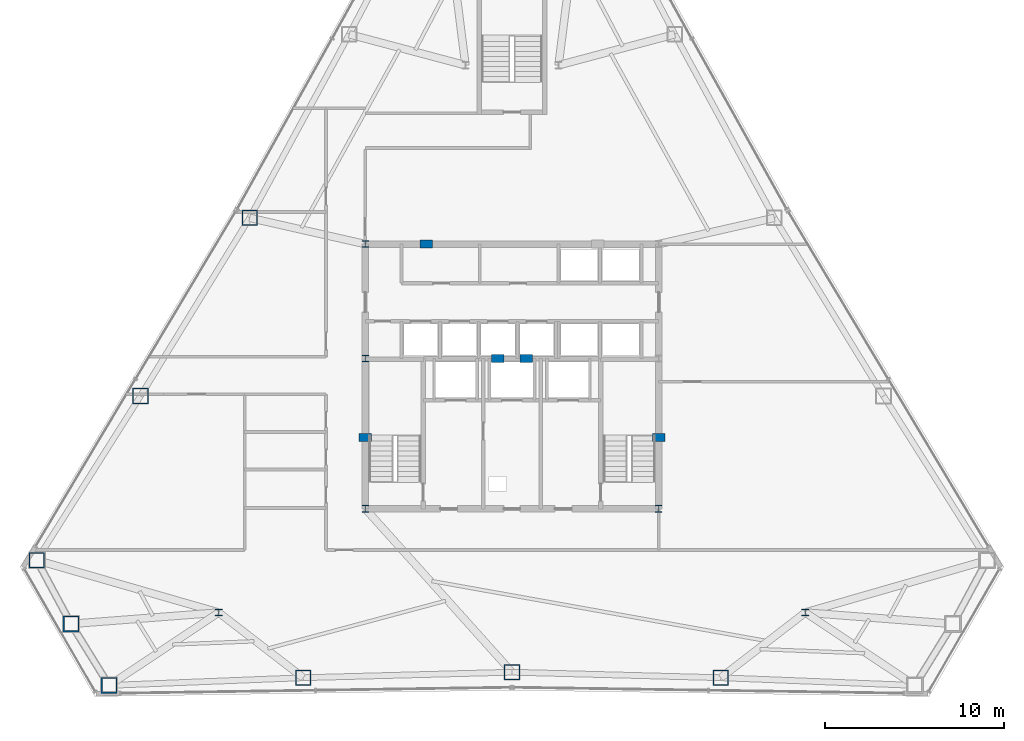
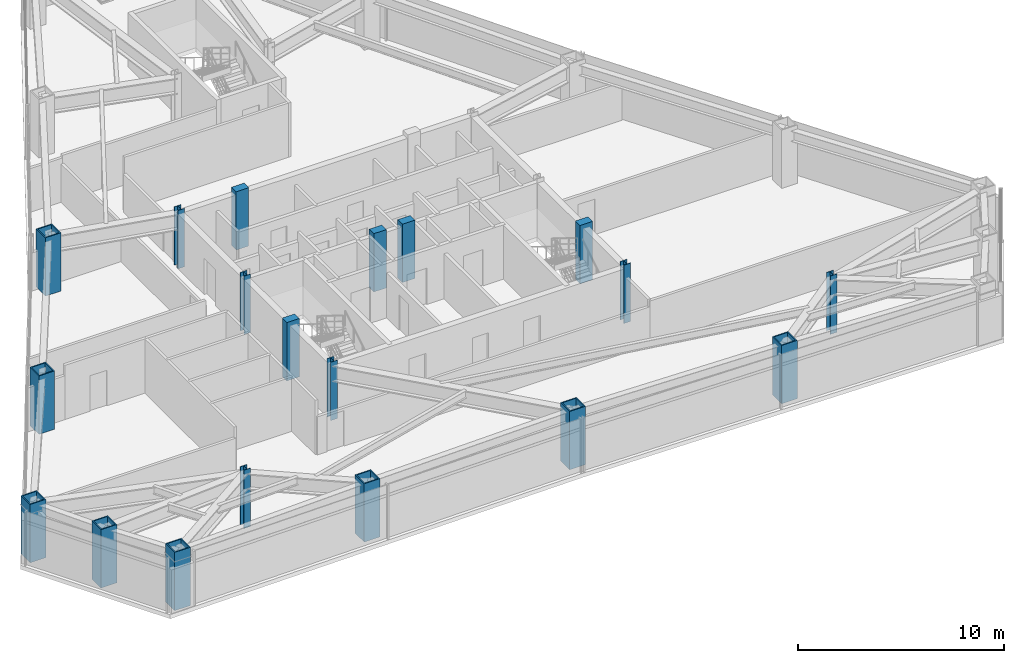
# One storey, part 1 of 13: 19 columns.
"""IFC4 building model written with IfcOpenShell, lengths in metres."""

from ifc_helpers import new_model, si_unit, direction, frame, origin, origin_2d, place, context, subcontext, project, spatial, rectangle, hollow_rectangle, i_section, extrude, material, material_profile, profile_set, type_object, element, save


model = new_model("IFC4")

# Units and contexts
model_context = context("Model", 3, precision=1e-05, world=origin(), true_north=direction((0.0, 1.0)))
body_context = subcontext(model_context, "Body", "Model", "MODEL_VIEW")
ifc_project = project(units=[si_unit("LENGTHUNIT", "METRE"), si_unit("AREAUNIT", "SQUARE_METRE"), si_unit("VOLUMEUNIT", "CUBIC_METRE"), si_unit("PLANEANGLEUNIT", "RADIAN"), si_unit("MASSUNIT", "GRAM", prefix="KILO")], contexts=[model_context])

# Site, building, storey
site_placement = place(None, origin())
site = spatial("IfcSite", under=ifc_project, at=site_placement, CompositionType="ELEMENT")
building_placement = place(site_placement, origin())
building = spatial("IfcBuilding", under=site, at=building_placement, Name="Varakhsha Concourse Tower", CompositionType="ELEMENT")
storey_placement = place(building_placement, frame((0.0, 0.0, 143.60009765625)))
storey = spatial("IfcBuildingStorey", under=building, at=storey_placement, Name="L41", CompositionType="ELEMENT", Elevation=143.60009765625)

# Columns
ifc_material_1 = material(Name="Structural Steel ASTM A992 Grade 50", Category="steel")
ifc_material_profile_1 = material_profile(ifc_material_1, i_section(OverallWidth=0.3740234375, OverallDepth=0.3720703125, WebThickness=0.01611328125, FlangeThickness=0.02587890625, at=origin_2d()), Name="W14X132")
ifc_profile_set_1 = profile_set([ifc_material_profile_1], Name="Structural Steel ASTM A992 Grade 50")
column_type_1 = type_object("IfcColumnType", Name="CL-CORE-W14X132", PredefinedType="COLUMN", material=ifc_profile_set_1)
for number, where, z_axis, x_axis, name in (
    (1, (31.800048828125, 16.39990234375, 0.0), (0.0, 0.0, 1.0), (1.0, 0.0, 0.0), "L41 Core Column CC-SW"),
    (2, (48.199951171875, 16.39990234375, 0.0), (0.0, 0.0, 1.0), (1.0, 0.0, 0.0), "L41 Core Column CC-SE"),
    (3, (31.800048828125, 24.800048828125, 0.0), (0.0, 0.0, 1.0), (1.0, 0.0, 0.0), "L41 Core Column CC-MW"),
    (4, (31.800048828125, 31.199951171875, 0.0), (0.0, 0.0, 1.0), (1.0, 0.0, 0.0), "L41 Core Column CC-NW"),
    (5, (23.60009765625, 10.60009765625, 0.0), (0.0, 0.0, 1.0), (1.0, 0.0, 0.0), "L41 Core Column SS-W"),
    (6, (56.39990234375, 10.60009765625, 0.0), (0.0, 0.0, 1.0), (1.0, 0.0, 0.0), "L41 Core Column SS-E"),
):
    element("IfcColumn", number, at=place(storey_placement, frame(where, z_axis=z_axis, x_axis=x_axis)), inside=storey, type_object=column_type_1, Name=name, PredefinedType="COLUMN", context=body_context, shape_type="SweptSolid", body=[
        extrude(i_section(OverallWidth=0.3740234375, OverallDepth=0.3720703125, WebThickness=0.01611328125, FlangeThickness=0.02587890625, at=origin_2d()), origin(), (0.0, 0.0, 1.0), 3.449951171875),
    ])
ifc_material_2 = material(Name="Concrete fc 65 MPa", Category="concrete")
ifc_material_profile_2 = material_profile(ifc_material_2, rectangle(XDim=0.699951171875, YDim=0.449951171875, at=origin_2d()), Name="RC 700x450")
ifc_profile_set_2 = profile_set([ifc_material_profile_2], Name="Concrete fc 65 MPa")
column_type_2 = type_object("IfcColumnType", Name="CL-PIL-700X450", PredefinedType="PILASTER", material=ifc_profile_set_2)
for number, where, z_axis, x_axis, name in (
    (7, (31.800048828125, 20.39990234375, 0.0), (0.0, 0.0, 1.0), (1.0, 0.0, 0.0), "L41 Core Boundary Pilaster PIL-W1"),
    (8, (48.199951171875, 20.39990234375, 0.0), (0.0, 0.0, 1.0), (1.0, 0.0, 0.0), "L41 Core Boundary Pilaster PIL-E1"),
    (9, (35.199951171875, 31.199951171875, 0.0), (0.0, 0.0, 1.0), (1.0, 0.0, 0.0), "L41 Core Boundary Pilaster PIL-N1"),
    (10, (39.199951171875, 24.800048828125, 0.0), (0.0, 0.0, 1.0), (1.0, 0.0, 0.0), "L41 Core Boundary Pilaster PIL-M1"),
    (11, (40.800048828125, 24.800048828125, 0.0), (0.0, 0.0, 1.0), (1.0, 0.0, 0.0), "L41 Core Boundary Pilaster PIL-M2"),
):
    element("IfcColumn", number, at=place(storey_placement, frame(where, z_axis=z_axis, x_axis=x_axis)), inside=storey, type_object=column_type_2, Name=name, PredefinedType="PILASTER", context=body_context, shape_type="SweptSolid", body=[
        extrude(rectangle(XDim=0.699951171875, YDim=0.449951171875, at=origin_2d()), origin(), (0.0, 0.0, 1.0), 3.449951171875),
    ])
ifc_material_3 = material(Name="Structural Steel ASTM A572 Grade 50", Category="steel")
ifc_material_profile_3 = material_profile(ifc_material_3, hollow_rectangle(XDim=0.8798828125, YDim=0.8798828125, WallThickness=0.06005859375, at=origin_2d()), Name="BOX 880x880x60")
ifc_profile_set_3 = profile_set([ifc_material_profile_3], Name="Structural Steel ASTM A572 Grade 50")
column_type_3 = type_object("IfcColumnType", Name="CL-TUBE-880", PredefinedType="COLUMN", material=ifc_profile_set_3)
for number, where, z_axis, x_axis, name in (
    (12, (25.33251953125, 32.668212890625, 0.0), (0.0, 0.0, 1.0), (1.0, 0.0, 0.0), "L41 Framed-Tube Column TC05"),
    (13, (19.22802734375, 22.710693359375, 0.0), (0.0, 0.0, 1.0), (1.0, 0.0, 0.0), "L41 Framed-Tube Column TC06"),
    (14, (13.42822265625, 13.527099609375, 0.0), (0.0, 0.0, 1.0), (1.0, 0.0, 0.0), "L41 Framed-Tube Column TC07"),
    (15, (15.34423828125, 9.96484375, 0.0), (0.0, 0.0, 1.0), (1.0, 0.0, 0.0), "L41 Framed-Tube Column TC08"),
    (16, (17.47119140625, 6.524658203125, 0.0), (0.0, 0.0, 1.0), (1.0, 0.0, 0.0), "L41 Framed-Tube Column TC09"),
    (17, (28.32421875, 6.95556640625, 0.0), (0.0, 0.0, 1.0), (1.0, 0.0, 0.0), "L41 Framed-Tube Column TC10"),
    (18, (40.0, 7.263427734375, 0.0), (0.0, 0.0, 1.0), (1.0, 0.0, 0.0), "L41 Framed-Tube Column TC11"),
    (19, (51.67578125, 6.95556640625, 0.0), (0.0, 0.0, 1.0), (1.0, 0.0, 0.0), "L41 Framed-Tube Column TC12"),
):
    element("IfcColumn", number, at=place(storey_placement, frame(where, z_axis=z_axis, x_axis=x_axis)), inside=storey, type_object=column_type_3, Name=name, PredefinedType="COLUMN", context=body_context, shape_type="SweptSolid", body=[
        extrude(hollow_rectangle(XDim=0.8798828125, YDim=0.8798828125, WallThickness=0.06005859375, at=origin_2d()), origin(), (0.0, 0.0, 1.0), 3.449951171875),
    ])

save(model, "model.ifc")
